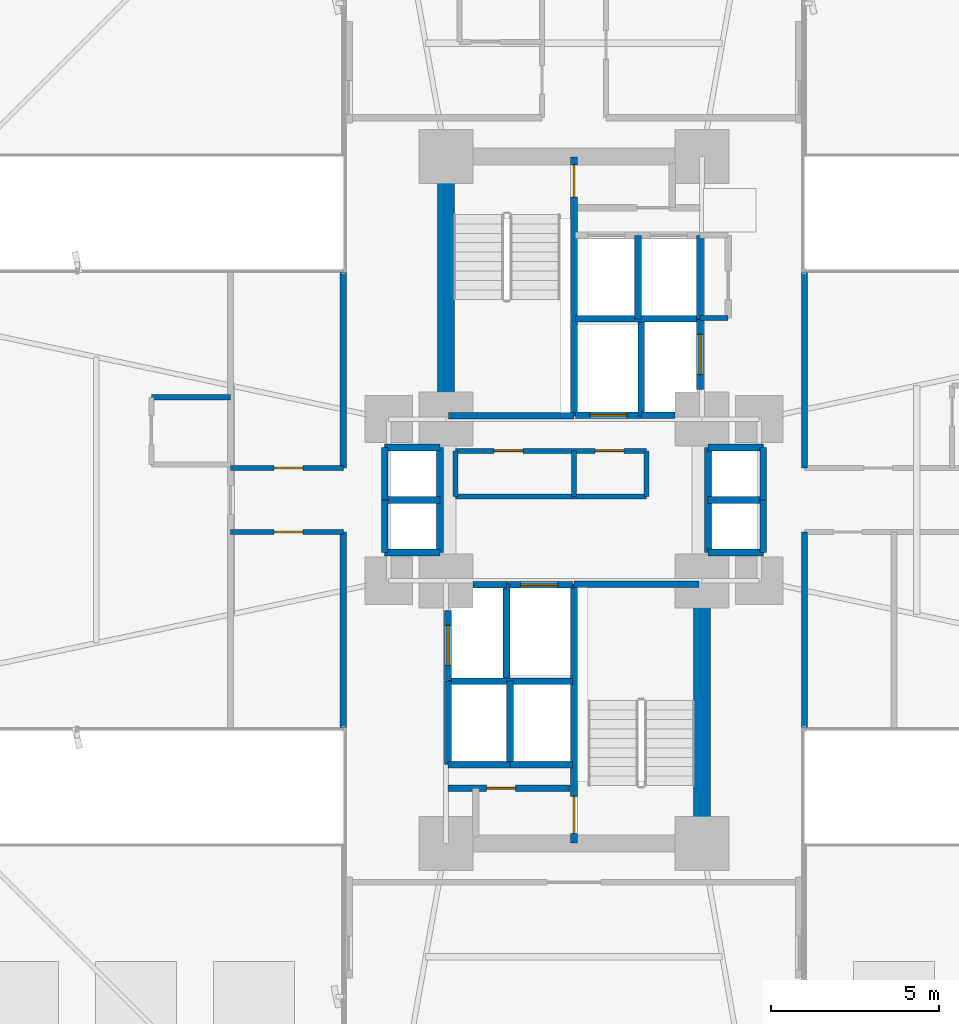
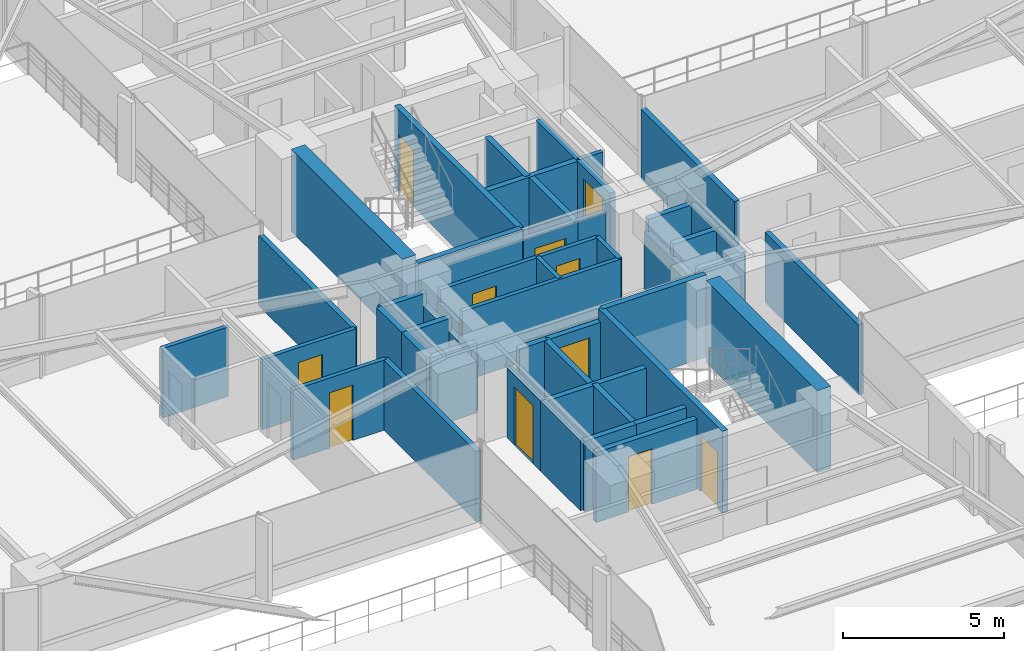
# One storey, part 22 of 27: 48 walls, 11 doors, 11 openings.
"""IFC4 building model written with IfcOpenShell, lengths in metres."""

from ifc_helpers import new_model, si_unit, direction, frame, frame_2d, origin, origin_2d, place, context, subcontext, project, spatial, rectangle, extrude, source, transform, mapped, material, layer, layer_set, type_object, element, fill, save


model = new_model("IFC4")

# Units and contexts
model_context = context("Model", 3, precision=1e-05, world=origin(), true_north=direction((0.0, 1.0)))
body_context = subcontext(model_context, "Body", "Model", "MODEL_VIEW")
ifc_project = project(units=[si_unit("LENGTHUNIT", "METRE"), si_unit("AREAUNIT", "SQUARE_METRE"), si_unit("VOLUMEUNIT", "CUBIC_METRE"), si_unit("PLANEANGLEUNIT", "RADIAN"), si_unit("MASSUNIT", "GRAM", prefix="KILO")], contexts=[model_context])

# Site, building, storey
site_placement = place(None, origin())
site = spatial("IfcSite", under=ifc_project, at=site_placement, CompositionType="ELEMENT")
building_placement = place(site_placement, origin())
building = spatial("IfcBuilding", under=site, at=building_placement, Name="Sahyath Konkavel Grand Hotel", CompositionType="ELEMENT")
storey_placement = place(building_placement, frame((0.0, 0.0, 23.10009765625)))
storey = spatial("IfcBuildingStorey", under=building, at=storey_placement, Name="L05", CompositionType="ELEMENT", Elevation=23.10009765625)

# Walls
ifc_material_1 = material(Name="Concrete C70/85", Category="concrete")
ifc_layer_1 = layer(ifc_material_1, 0.5)
ifc_layer_set_1 = layer_set([ifc_layer_1], Name="Concrete C70/85")
wall_type_1 = type_object("IfcWallType", Name="CWALL-500", PredefinedType="SHEAR", material=ifc_layer_set_1)
for number, where, z_axis, x_axis, name in (
    (1, (-3.800048828125, 2.85009765625, 0.0), (0.0, 0.0, 1.0), (0.0, 1.0, 0.0), "L05 North Core Shear Wall W"),
    (2, (3.800048828125, -9.75, 0.0), (0.0, 0.0, 1.0), (0.0, 1.0, 0.0), "L05 South Core Shear Wall E"),
):
    element("IfcWall", number, at=place(storey_placement, frame(where, z_axis=z_axis, x_axis=x_axis)), inside=storey, type_object=wall_type_1, Name=name, PredefinedType="SHEAR", context=body_context, shape_type="SweptSolid", body=[
        extrude(rectangle(XDim=6.89990234375, YDim=0.5, at=frame_2d((3.449951171875, 0.0))), origin(), (0.0, 0.0, 1.0), 3.10986328125),
    ])

# Wall, opening, door
ifc_material_2 = material(Name="Concrete C40/50", Category="concrete")
ifc_layer_2 = layer(ifc_material_2, 0.199951171875)
ifc_layer_set_2 = layer_set([ifc_layer_2], Name="Concrete C40/50")
wall_type_2 = type_object("IfcWallType", Name="WLL-CORE-200", PredefinedType="SOLIDWALL", material=ifc_layer_set_2)
wall_1_placement = place(storey_placement, frame((0.0, 2.5, 0.0), z_axis=(0.0, 0.0, 1.0), x_axis=(0.0, 1.0, 0.0)))
wall_1 = element("IfcWall", 3, at=wall_1_placement, inside=storey, type_object=wall_type_2, Name="L05 Stair ST-1 Shaft Wall E", PredefinedType="SOLIDWALL", context=body_context, shape_type="SweptSolid", body=[
    extrude(rectangle(XDim=7.679931640625, YDim=0.199951171875, at=frame_2d((3.83984375, 0.0))), origin(), (0.0, 0.0, 1.0), 3.10986328125),
])
opening_1_placement = place(wall_1_placement, frame((6.5, 0.0, 0.0)))
opening_1 = element("IfcOpeningElement", 4, at=opening_1_placement, cuts=wall_1, Name="Opening D-F12C", PredefinedType="OPENING", context=body_context, shape_type="SweptSolid", body=[
    extrude(rectangle(XDim=0.949951171875, YDim=2.14990234375, at=frame_2d((0.47509765625, 1.074951171875))), frame((0.0, 0.10986328125, 0.0), z_axis=(0.0, -1.0, 0.0), x_axis=(1.0, 0.0, 0.0)), (0.0, 0.0, 1.0), 0.219970703125),
])
ifc_material_3 = material(Name="Steel E350 Plant Fire Door", Category="steel")
door_type_1 = type_object("IfcDoorType", Name="DR-FD120-950", OperationType="NOTDEFINED", PredefinedType="DOOR", material=ifc_material_3)
shared_shape_1 = source(origin(), body_context, "Body", "SweptSolid", [
    extrude(rectangle(XDim=0.949951171875, YDim=0.050048828125, at=origin_2d()), origin(), (0.0, 0.0, 1.0), 2.14990234375),
])
door_1_placement = place(opening_1_placement, frame((0.47509765625, 0.0, 0.0)))
door_1 = element("IfcDoor", 5, at=door_1_placement, inside=storey, type_object=door_type_1, Name="L05 Stair ST-1 Fire Door", OperationType="SINGLE_SWING_LEFT", OverallHeight=2.14990234375, OverallWidth=0.949951171875, PredefinedType="DOOR", context=body_context, shape_type="MappedRepresentation", body=[
    mapped(shared_shape_1, transform((0.0, 0.0, 0.0), scale=1.0)),
])
fill(opening_1, door_1)

# Wall
wall_2_placement = place(storey_placement, frame((-3.719970703125, 2.5, 0.0), z_axis=(0.0, 0.0, 1.0), x_axis=(1.0, 0.0, 0.0)))
element("IfcWall", 6, at=wall_2_placement, inside=storey, type_object=wall_type_2, Name="L05 Stair ST-1 Shaft Wall S", PredefinedType="SOLIDWALL", context=body_context, shape_type="SweptSolid", body=[
    extrude(rectangle(XDim=3.719970703125, YDim=0.199951171875, at=frame_2d((1.85986328125, 0.0))), origin(), (0.0, 0.0, 1.0), 3.10986328125),
])

# Wall, opening, door
wall_3_placement = place(storey_placement, frame((0.0, -10.179931640625, 0.0), z_axis=(0.0, 0.0, 1.0), x_axis=(0.0, 1.0, 0.0)))
wall_3 = element("IfcWall", 7, at=wall_3_placement, inside=storey, type_object=wall_type_2, Name="L05 Stair ST-2 Shaft Wall W", PredefinedType="SOLIDWALL", context=body_context, shape_type="SweptSolid", body=[
    extrude(rectangle(XDim=7.679931640625, YDim=0.199951171875, at=frame_2d((3.83984375, 0.0))), origin(), (0.0, 0.0, 1.0), 3.10986328125),
])
opening_2_placement = place(wall_3_placement, frame((0.280029296875, 0.0, 0.0)))
opening_2 = element("IfcOpeningElement", 8, at=opening_2_placement, cuts=wall_3, Name="Opening D-F12B", PredefinedType="OPENING", context=body_context, shape_type="SweptSolid", body=[
    extrude(rectangle(XDim=1.10009765625, YDim=2.14990234375, at=frame_2d((0.550048828125, 1.074951171875))), frame((0.0, 0.10986328125, 0.0), z_axis=(0.0, -1.0, 0.0), x_axis=(1.0, 0.0, 0.0)), (0.0, 0.0, 1.0), 0.219970703125),
])
ifc_material_4 = material(Name="Steel E350 Smokeproof Fire Door", Category="steel")
door_type_2 = type_object("IfcDoorType", Name="DR-FD120-1100", OperationType="NOTDEFINED", PredefinedType="DOOR", material=ifc_material_4)
shared_shape_2 = source(origin(), body_context, "Body", "SweptSolid", [
    extrude(rectangle(XDim=1.10009765625, YDim=0.050048828125, at=origin_2d()), origin(), (0.0, 0.0, 1.0), 2.14990234375),
])
door_2_placement = place(opening_2_placement, frame((0.550048828125, 0.0, 0.0)))
door_2 = element("IfcDoor", 9, at=door_2_placement, inside=storey, type_object=door_type_2, Name="L05 Stair ST-2 Fire Door", OperationType="SINGLE_SWING_LEFT", OverallHeight=2.14990234375, OverallWidth=1.10009765625, PredefinedType="DOOR", context=body_context, shape_type="MappedRepresentation", body=[
    mapped(shared_shape_2, transform((0.0, 0.0, 0.0), scale=1.0)),
])
fill(opening_2, door_2)

# Walls
wall_4_placement = place(storey_placement, frame((0.0, -2.5, 0.0), z_axis=(0.0, 0.0, 1.0), x_axis=(1.0, 0.0, 0.0)))
element("IfcWall", 10, at=wall_4_placement, inside=storey, type_object=wall_type_2, Name="L05 Stair ST-2 Shaft Wall N", PredefinedType="SOLIDWALL", context=body_context, shape_type="SweptSolid", body=[
    extrude(rectangle(XDim=3.719970703125, YDim=0.199951171875, at=frame_2d((1.85986328125, 0.0))), origin(), (0.0, 0.0, 1.0), 3.10986328125),
])
wall_5_placement = place(storey_placement, frame((2.0, 2.5, 0.0), z_axis=(0.0, 0.0, 1.0), x_axis=(0.0, 1.0, 0.0)))
element("IfcWall", 11, at=wall_5_placement, inside=storey, type_object=wall_type_2, Name="L05 Partition SH-FFL1-E", PredefinedType="SOLIDWALL", context=body_context, shape_type="SweptSolid", body=[
    extrude(rectangle(XDim=2.780029296875, YDim=0.199951171875, at=frame_2d((1.39013671875, 0.0))), origin(), (0.0, 0.0, 1.0), 2.659912109375),
])

# Wall, opening, door
wall_6_placement = place(storey_placement, frame((0.050048828125, 2.52001953125, 0.0), z_axis=(0.0, 0.0, 1.0), x_axis=(1.0, 0.0, 0.0)))
wall_6 = element("IfcWall", 12, at=wall_6_placement, inside=storey, type_object=wall_type_2, Name="L05 Partition SH-FFL1-S", PredefinedType="SOLIDWALL", context=body_context, shape_type="SweptSolid", body=[
    extrude(rectangle(XDim=1.949951171875, YDim=0.199951171875, at=frame_2d((0.97509765625, 0.0))), origin(), (0.0, 0.0, 1.0), 2.659912109375),
])
opening_3_placement = place(wall_6_placement, frame((0.419921875, 0.0, 0.0)))
opening_3 = element("IfcOpeningElement", 13, at=opening_3_placement, cuts=wall_6, Name="Opening LD-11", PredefinedType="OPENING", context=body_context, shape_type="SweptSolid", body=[
    extrude(rectangle(XDim=1.10009765625, YDim=2.199951171875, at=frame_2d((0.550048828125, 1.10009765625))), frame((0.0, 0.10986328125, 0.0), z_axis=(0.0, -1.0, 0.0), x_axis=(1.0, 0.0, 0.0)), (0.0, 0.0, 1.0), 0.219970703125),
])
ifc_material_5 = material(Name="Bronze Lift Landing Door 1100")
door_type_3 = type_object("IfcDoorType", Name="DR-LIFT-1100", OperationType="DOUBLE_DOOR_SLIDING", PredefinedType="DOOR", material=ifc_material_5)
shared_shape_3 = source(origin(), body_context, "Body", "SweptSolid", [
    extrude(rectangle(XDim=1.10009765625, YDim=0.050048828125, at=origin_2d()), origin(), (0.0, 0.0, 1.0), 2.199951171875),
])
door_3_placement = place(opening_3_placement, frame((0.550048828125, 0.0, 0.0)))
door_3 = element("IfcDoor", 14, at=door_3_placement, inside=storey, type_object=door_type_3, Name="L05 Lift FFL-1 Landing Door", OperationType="DOUBLE_DOOR_SLIDING", OverallHeight=2.199951171875, OverallWidth=1.10009765625, PredefinedType="DOOR", context=body_context, shape_type="MappedRepresentation", body=[
    mapped(shared_shape_3, transform((0.0, 0.0, 0.0), scale=1.0)),
])
fill(opening_3, door_3)

# Wall
wall_7_placement = place(storey_placement, frame((-2.0, -5.280029296875, 0.0), z_axis=(0.0, 0.0, 1.0), x_axis=(0.0, 1.0, 0.0)))
element("IfcWall", 15, at=wall_7_placement, inside=storey, type_object=wall_type_2, Name="L05 Partition SH-FFL2-W", PredefinedType="SOLIDWALL", context=body_context, shape_type="SweptSolid", body=[
    extrude(rectangle(XDim=2.780029296875, YDim=0.199951171875, at=frame_2d((1.39013671875, 0.0))), origin(), (0.0, 0.0, 1.0), 2.659912109375),
])

# Wall, opening, door
wall_8_placement = place(storey_placement, frame((-2.0, -2.52001953125, 0.0), z_axis=(0.0, 0.0, 1.0), x_axis=(1.0, 0.0, 0.0)))
wall_8 = element("IfcWall", 16, at=wall_8_placement, inside=storey, type_object=wall_type_2, Name="L05 Partition SH-FFL2-N", PredefinedType="SOLIDWALL", context=body_context, shape_type="SweptSolid", body=[
    extrude(rectangle(XDim=1.949951171875, YDim=0.199951171875, at=frame_2d((0.97509765625, 0.0))), origin(), (0.0, 0.0, 1.0), 2.659912109375),
])
opening_4_placement = place(wall_8_placement, frame((0.419921875, 0.0, 0.0)))
opening_4 = element("IfcOpeningElement", 17, at=opening_4_placement, cuts=wall_8, Name="Opening LD-11", PredefinedType="OPENING", context=body_context, shape_type="SweptSolid", body=[
    extrude(rectangle(XDim=1.10009765625, YDim=2.199951171875, at=frame_2d((0.550048828125, 1.10009765625))), frame((0.0, 0.10986328125, 0.0), z_axis=(0.0, -1.0, 0.0), x_axis=(1.0, 0.0, 0.0)), (0.0, 0.0, 1.0), 0.219970703125),
])
door_4_placement = place(opening_4_placement, frame((0.550048828125, 0.0, 0.0)))
door_4 = element("IfcDoor", 18, at=door_4_placement, inside=storey, type_object=door_type_3, Name="L05 Lift FFL-2 Landing Door", OperationType="DOUBLE_DOOR_SLIDING", OverallHeight=2.199951171875, OverallWidth=1.10009765625, PredefinedType="DOOR", context=body_context, shape_type="MappedRepresentation", body=[
    mapped(shared_shape_3, transform((0.0, 0.0, 0.0), scale=1.0)),
])
fill(opening_4, door_4)

# Wall
wall_9_placement = place(storey_placement, frame((2.0, 2.52001953125, 0.0), z_axis=(0.0, 0.0, 1.0), x_axis=(1.0, 0.0, 0.0)))
element("IfcWall", 19, at=wall_9_placement, inside=storey, type_object=wall_type_2, Name="L05 Partition SH-SVL1-S", PredefinedType="SOLIDWALL", context=body_context, shape_type="SweptSolid", body=[
    extrude(rectangle(XDim=1.0, YDim=0.199951171875, at=frame_2d((0.5, 0.0))), origin(), (0.0, 0.0, 1.0), 2.659912109375),
])

# Wall, opening, door
wall_10_placement = place(storey_placement, frame((3.739990234375, 3.280029296875, 0.0), z_axis=(0.0, 0.0, 1.0), x_axis=(0.0, 1.0, 0.0)))
wall_10 = element("IfcWall", 20, at=wall_10_placement, inside=storey, type_object=wall_type_2, Name="L05 Partition SH-SVL1-E", PredefinedType="SOLIDWALL", context=body_context, shape_type="SweptSolid", body=[
    extrude(rectangle(XDim=2.080078125, YDim=0.199951171875, at=frame_2d((1.0400390625, 0.0))), origin(), (0.0, 0.0, 1.0), 2.659912109375),
])
opening_5_placement = place(wall_10_placement, frame((0.43994140625, 0.0, 0.0)))
opening_5 = element("IfcOpeningElement", 21, at=opening_5_placement, cuts=wall_10, Name="Opening LD-12", PredefinedType="OPENING", context=body_context, shape_type="SweptSolid", body=[
    extrude(rectangle(XDim=1.199951171875, YDim=2.199951171875, at=frame_2d((0.60009765625, 1.10009765625))), frame((0.0, 0.10986328125, 0.0), z_axis=(0.0, -1.0, 0.0), x_axis=(1.0, 0.0, 0.0)), (0.0, 0.0, 1.0), 0.219970703125),
])
ifc_material_6 = material(Name="Stainless Steel Lift Landing Door 1200", Category="steel")
door_type_4 = type_object("IfcDoorType", Name="DR-LIFT-1200", OperationType="DOUBLE_DOOR_SLIDING", PredefinedType="DOOR", material=ifc_material_6)
shared_shape_4 = source(origin(), body_context, "Body", "SweptSolid", [
    extrude(rectangle(XDim=1.199951171875, YDim=0.050048828125, at=origin_2d()), origin(), (0.0, 0.0, 1.0), 2.199951171875),
])
door_5_placement = place(opening_5_placement, frame((0.60009765625, 0.0, 0.0)))
door_5 = element("IfcDoor", 22, at=door_5_placement, inside=storey, type_object=door_type_4, Name="L05 Service Lift SVL-1 Landing Door", OperationType="DOUBLE_DOOR_SLIDING", OverallHeight=2.199951171875, OverallWidth=1.199951171875, PredefinedType="DOOR", context=body_context, shape_type="MappedRepresentation", body=[
    mapped(shared_shape_4, transform((0.0, 0.0, 0.0), scale=1.0)),
])
fill(opening_5, door_5)

# Wall
wall_11_placement = place(storey_placement, frame((-3.0, -2.52001953125, 0.0), z_axis=(0.0, 0.0, 1.0), x_axis=(1.0, 0.0, 0.0)))
element("IfcWall", 23, at=wall_11_placement, inside=storey, type_object=wall_type_2, Name="L05 Partition SH-SVL2-N", PredefinedType="SOLIDWALL", context=body_context, shape_type="SweptSolid", body=[
    extrude(rectangle(XDim=1.0, YDim=0.199951171875, at=frame_2d((0.5, 0.0))), origin(), (0.0, 0.0, 1.0), 2.659912109375),
])

# Wall, opening, door
wall_12_placement = place(storey_placement, frame((-3.739990234375, -5.360107421875, 0.0), z_axis=(0.0, 0.0, 1.0), x_axis=(0.0, 1.0, 0.0)))
wall_12 = element("IfcWall", 24, at=wall_12_placement, inside=storey, type_object=wall_type_2, Name="L05 Partition SH-SVL2-W", PredefinedType="SOLIDWALL", context=body_context, shape_type="SweptSolid", body=[
    extrude(rectangle(XDim=2.080078125, YDim=0.199951171875, at=frame_2d((1.0400390625, 0.0))), origin(), (0.0, 0.0, 1.0), 2.659912109375),
])
opening_6_placement = place(wall_12_placement, frame((0.43994140625, 0.0, 0.0)))
opening_6 = element("IfcOpeningElement", 25, at=opening_6_placement, cuts=wall_12, Name="Opening LD-12", PredefinedType="OPENING", context=body_context, shape_type="SweptSolid", body=[
    extrude(rectangle(XDim=1.199951171875, YDim=2.199951171875, at=frame_2d((0.60009765625, 1.10009765625))), frame((0.0, 0.10986328125, 0.0), z_axis=(0.0, -1.0, 0.0), x_axis=(1.0, 0.0, 0.0)), (0.0, 0.0, 1.0), 0.219970703125),
])
door_6_placement = place(opening_6_placement, frame((0.60009765625, 0.0, 0.0)))
door_6 = element("IfcDoor", 26, at=door_6_placement, inside=storey, type_object=door_type_4, Name="L05 Service Lift SVL-2 Landing Door", OperationType="DOUBLE_DOOR_SLIDING", OverallHeight=2.199951171875, OverallWidth=1.199951171875, PredefinedType="DOOR", context=body_context, shape_type="MappedRepresentation", body=[
    mapped(shared_shape_4, transform((0.0, 0.0, 0.0), scale=1.0)),
])
fill(opening_6, door_6)

# Walls
wall_13_placement = place(storey_placement, frame((0.050048828125, 5.3798828125, 0.0), z_axis=(0.0, 0.0, 1.0), x_axis=(1.0, 0.0, 0.0)))
element("IfcWall", 27, at=wall_13_placement, inside=storey, type_object=wall_type_2, Name="L05 Partition SH-PL12-S", PredefinedType="SOLIDWALL", context=body_context, shape_type="SweptSolid", body=[
    extrude(rectangle(XDim=3.68994140625, YDim=0.199951171875, at=frame_2d((1.844970703125, 0.0))), origin(), (0.0, 0.0, 1.0), 2.659912109375),
])
for number, where, z_axis, x_axis, name in (
    (28, (1.89990234375, 5.3798828125, 0.0), (0.0, 0.0, 1.0), (0.0, 1.0, 0.0), "L05 Partition SH-PL12-M"),
    (29, (3.739990234375, 5.3798828125, 0.0), (0.0, 0.0, 1.0), (0.0, 1.0, 0.0), "L05 Partition SH-PL2-E"),
    (30, (-3.739990234375, -7.860107421875, 0.0), (0.0, 0.0, 1.0), (0.0, 1.0, 0.0), "L05 Partition SH-PL3-W"),
):
    element("IfcWall", number, at=place(storey_placement, frame(where, z_axis=z_axis, x_axis=x_axis)), inside=storey, type_object=wall_type_2, Name=name, PredefinedType="SOLIDWALL", context=body_context, shape_type="SweptSolid", body=[
        extrude(rectangle(XDim=2.480224609375, YDim=0.199951171875, at=frame_2d((1.240234375, 0.0))), origin(), (0.0, 0.0, 1.0), 2.659912109375),
    ])
wall_14_placement = place(storey_placement, frame((-3.739990234375, -7.860107421875, 0.0), z_axis=(0.0, 0.0, 1.0), x_axis=(1.0, 0.0, 0.0)))
element("IfcWall", 31, at=wall_14_placement, inside=storey, type_object=wall_type_2, Name="L05 Partition SH-PL3-S", PredefinedType="SOLIDWALL", context=body_context, shape_type="SweptSolid", body=[
    extrude(rectangle(XDim=1.840087890625, YDim=0.199951171875, at=frame_2d((0.919921875, 0.0))), origin(), (0.0, 0.0, 1.0), 2.659912109375),
])
wall_15_placement = place(storey_placement, frame((-3.739990234375, -5.3798828125, 0.0), z_axis=(0.0, 0.0, 1.0), x_axis=(1.0, 0.0, 0.0)))
element("IfcWall", 32, at=wall_15_placement, inside=storey, type_object=wall_type_2, Name="L05 Partition SH-PL34-N", PredefinedType="SOLIDWALL", context=body_context, shape_type="SweptSolid", body=[
    extrude(rectangle(XDim=3.68994140625, YDim=0.199951171875, at=frame_2d((1.844970703125, 0.0))), origin(), (0.0, 0.0, 1.0), 2.659912109375),
])
wall_16_placement = place(storey_placement, frame((-1.89990234375, -7.860107421875, 0.0), z_axis=(0.0, 0.0, 1.0), x_axis=(0.0, 1.0, 0.0)))
element("IfcWall", 33, at=wall_16_placement, inside=storey, type_object=wall_type_2, Name="L05 Partition SH-PL34-M", PredefinedType="SOLIDWALL", context=body_context, shape_type="SweptSolid", body=[
    extrude(rectangle(XDim=2.480224609375, YDim=0.199951171875, at=frame_2d((1.240234375, 0.0))), origin(), (0.0, 0.0, 1.0), 2.659912109375),
])
wall_17_placement = place(storey_placement, frame((-1.89990234375, -7.860107421875, 0.0), z_axis=(0.0, 0.0, 1.0), x_axis=(1.0, 0.0, 0.0)))
element("IfcWall", 34, at=wall_17_placement, inside=storey, type_object=wall_type_2, Name="L05 Partition SH-PL4-S", PredefinedType="SOLIDWALL", context=body_context, shape_type="SweptSolid", body=[
    extrude(rectangle(XDim=1.849853515625, YDim=0.199951171875, at=frame_2d((0.9248046875, 0.0))), origin(), (0.0, 0.0, 1.0), 2.659912109375),
])
wall_18_placement = place(storey_placement, frame((3.97998046875, -1.56005859375, 0.0), z_axis=(0.0, 0.0, 1.0), x_axis=(0.0, 1.0, 0.0)))
element("IfcWall", 35, at=wall_18_placement, inside=storey, type_object=wall_type_2, Name="L05 Partition SH-PL56-W", PredefinedType="SOLIDWALL", context=body_context, shape_type="SweptSolid", body=[
    extrude(rectangle(XDim=3.1201171875, YDim=0.199951171875, at=frame_2d((1.56005859375, 0.0))), origin(), (0.0, 0.0, 1.0), 2.179931640625),
])
for number, where, z_axis, x_axis, name in (
    (36, (3.97998046875, 1.56005859375, 0.0), (0.0, 0.0, 1.0), (1.0, 0.0, 0.0), "L05 Partition SH-PL56-N"),
    (37, (3.97998046875, -1.56005859375, 0.0), (0.0, 0.0, 1.0), (1.0, 0.0, 0.0), "L05 Partition SH-PL56-S"),
    (38, (3.97998046875, 0.0, 0.0), (0.0, 0.0, 1.0), (1.0, 0.0, 0.0), "L05 Partition SH-PL56-M"),
):
    element("IfcWall", number, at=place(storey_placement, frame(where, z_axis=z_axis, x_axis=x_axis)), inside=storey, type_object=wall_type_2, Name=name, PredefinedType="SOLIDWALL", context=body_context, shape_type="SweptSolid", body=[
        extrude(rectangle(XDim=1.64013671875, YDim=0.199951171875, at=frame_2d((0.820068359375, 0.0))), origin(), (0.0, 0.0, 1.0), 2.659912109375),
    ])
for number, where, z_axis, x_axis, name in (
    (39, (5.6201171875, 0.0, 0.0), (0.0, 0.0, 1.0), (0.0, 1.0, 0.0), "L05 Partition SH-PL5-E"),
    (40, (5.6201171875, -1.56005859375, 0.0), (0.0, 0.0, 1.0), (0.0, 1.0, 0.0), "L05 Partition SH-PL6-E"),
):
    element("IfcWall", number, at=place(storey_placement, frame(where, z_axis=z_axis, x_axis=x_axis)), inside=storey, type_object=wall_type_2, Name=name, PredefinedType="SOLIDWALL", context=body_context, shape_type="SweptSolid", body=[
        extrude(rectangle(XDim=1.56005859375, YDim=0.199951171875, at=frame_2d((0.780029296875, 0.0))), origin(), (0.0, 0.0, 1.0), 2.659912109375),
    ])
wall_19_placement = place(storey_placement, frame((-3.97998046875, -1.56005859375, 0.0), z_axis=(0.0, 0.0, 1.0), x_axis=(0.0, 1.0, 0.0)))
element("IfcWall", 41, at=wall_19_placement, inside=storey, type_object=wall_type_2, Name="L05 Partition SH-SL12-E", PredefinedType="SOLIDWALL", context=body_context, shape_type="SweptSolid", body=[
    extrude(rectangle(XDim=3.1201171875, YDim=0.199951171875, at=frame_2d((1.56005859375, 0.0))), origin(), (0.0, 0.0, 1.0), 2.179931640625),
])
for number, where, z_axis, x_axis, name in (
    (42, (-5.6201171875, 1.56005859375, 0.0), (0.0, 0.0, 1.0), (1.0, 0.0, 0.0), "L05 Partition SH-SL12-N"),
    (43, (-5.6201171875, -1.56005859375, 0.0), (0.0, 0.0, 1.0), (1.0, 0.0, 0.0), "L05 Partition SH-SL12-S"),
    (44, (-5.6201171875, 0.0, 0.0), (0.0, 0.0, 1.0), (1.0, 0.0, 0.0), "L05 Partition SH-SL12-M"),
):
    element("IfcWall", number, at=place(storey_placement, frame(where, z_axis=z_axis, x_axis=x_axis)), inside=storey, type_object=wall_type_2, Name=name, PredefinedType="SOLIDWALL", context=body_context, shape_type="SweptSolid", body=[
        extrude(rectangle(XDim=1.64013671875, YDim=0.199951171875, at=frame_2d((0.820068359375, 0.0))), origin(), (0.0, 0.0, 1.0), 2.659912109375),
    ])
for number, where, z_axis, x_axis, name in (
    (45, (-5.6201171875, 0.0, 0.0), (0.0, 0.0, 1.0), (0.0, 1.0, 0.0), "L05 Partition SH-SL1-W"),
    (46, (-5.6201171875, -1.56005859375, 0.0), (0.0, 0.0, 1.0), (0.0, 1.0, 0.0), "L05 Partition SH-SL2-W"),
):
    element("IfcWall", number, at=place(storey_placement, frame(where, z_axis=z_axis, x_axis=x_axis)), inside=storey, type_object=wall_type_2, Name=name, PredefinedType="SOLIDWALL", context=body_context, shape_type="SweptSolid", body=[
        extrude(rectangle(XDim=1.56005859375, YDim=0.199951171875, at=frame_2d((0.780029296875, 0.0))), origin(), (0.0, 0.0, 1.0), 2.659912109375),
    ])

# Wall, opening, door
wall_20_placement = place(storey_placement, frame((-3.739990234375, -8.56005859375, 0.0), z_axis=(0.0, 0.0, 1.0), x_axis=(1.0, 0.0, 0.0)))
wall_20 = element("IfcWall", 47, at=wall_20_placement, inside=storey, type_object=wall_type_2, Name="L05 South FF Lobby Separation Wall", PredefinedType="SOLIDWALL", context=body_context, shape_type="SweptSolid", body=[
    extrude(rectangle(XDim=3.619873046875, YDim=0.199951171875, at=frame_2d((1.81005859375, 0.0))), origin(), (0.0, 0.0, 1.0), 2.659912109375),
])
opening_7_placement = place(wall_20_placement, frame((1.14990234375, 0.0, 0.0)))
opening_7 = element("IfcOpeningElement", 48, at=opening_7_placement, cuts=wall_20, Name="Opening D-F12D", PredefinedType="OPENING", context=body_context, shape_type="SweptSolid", body=[
    extrude(rectangle(XDim=0.85009765625, YDim=2.10009765625, at=frame_2d((0.425048828125, 1.050048828125))), frame((0.0, 0.10986328125, 0.0), z_axis=(0.0, -1.0, 0.0), x_axis=(1.0, 0.0, 0.0)), (0.0, 0.0, 1.0), 0.219970703125),
])
ifc_material_7 = material(Name="Steel E350 Core Fire Door", Category="steel")
door_type_5 = type_object("IfcDoorType", Name="DR-FD120-850", OperationType="NOTDEFINED", PredefinedType="DOOR", material=ifc_material_7)
shared_shape_5 = source(origin(), body_context, "Body", "SweptSolid", [
    extrude(rectangle(XDim=0.85009765625, YDim=0.050048828125, at=origin_2d()), origin(), (0.0, 0.0, 1.0), 2.10009765625),
])
door_7_placement = place(opening_7_placement, frame((0.425048828125, 0.0, 0.0)))
door_7 = element("IfcDoor", 49, at=door_7_placement, inside=storey, type_object=door_type_5, Name="L05 South Firefighting Lobby Door", OperationType="SINGLE_SWING_RIGHT", OverallHeight=2.10009765625, OverallWidth=0.85009765625, PredefinedType="DOOR", context=body_context, shape_type="MappedRepresentation", body=[
    mapped(shared_shape_5, transform((0.0, 0.0, 0.0), scale=1.0)),
])
fill(opening_7, door_7)

# Walls
ifc_material_8 = material(Name="Twin-Stud Acoustic Gypsum Plasterboard Partition")
ifc_layer_3 = layer(ifc_material_8, 0.179931640625)
ifc_layer_set_3 = layer_set([ifc_layer_3], Name="Twin-Stud Acoustic Gypsum Plasterboard Partition")
wall_type_3 = type_object("IfcWallType", Name="WLL-DEMISE-180", PredefinedType="PARTITIONING", material=ifc_layer_set_3)
for number, where, z_axis, x_axis, name in (
    (50, (6.85009765625, 0.949951171875, 0.0), (0.0, 0.0, 1.0), (0.0, 1.0, 0.0), "L05 Partition E-INL"),
    (51, (6.85009765625, -6.75, 0.0), (0.0, 0.0, 1.0), (0.0, 1.0, 0.0), "L05 Partition E-INR"),
    (52, (-6.85009765625, -0.949951171875, 0.0), (0.0, 0.0, 1.0), (0.0, -1.0, 0.0), "L05 Partition W-INL"),
    (53, (-6.85009765625, 6.75, 0.0), (0.0, 0.0, 1.0), (0.0, -1.0, 0.0), "L05 Partition W-INR"),
):
    element("IfcWall", number, at=place(storey_placement, frame(where, z_axis=z_axis, x_axis=x_axis)), inside=storey, type_object=wall_type_3, Name=name, PredefinedType="PARTITIONING", context=body_context, shape_type="SweptSolid", body=[
        extrude(rectangle(XDim=5.800048828125, YDim=0.179931640625, at=frame_2d((2.89990234375, 0.0))), origin(), (0.0, 0.0, 1.0), 2.659912109375),
    ])
ifc_material_9 = material(Name="Fire-Rated Gypsum Plasterboard Partition")
ifc_layer_4 = layer(ifc_material_9, 0.14990234375)
ifc_layer_set_4 = layer_set([ifc_layer_4], Name="Fire-Rated Gypsum Plasterboard Partition")
wall_type_4 = type_object("IfcWallType", Name="WLL-PART-150", PredefinedType="PARTITIONING", material=ifc_layer_set_4)
wall_21_placement = place(storey_placement, frame((3.739990234375, 5.39990234375, 0.0), z_axis=(0.0, 0.0, 1.0), x_axis=(1.0, 0.0, 0.0)))
element("IfcWall", 54, at=wall_21_placement, inside=storey, type_object=wall_type_4, Name="L05 Partition NC-FLK-S", PredefinedType="PARTITIONING", context=body_context, shape_type="SweptSolid", body=[
    extrude(rectangle(XDim=0.840087890625, YDim=0.14990234375, at=frame_2d((0.419921875, 0.0))), origin(), (0.0, 0.0, 1.0), 2.659912109375),
])
wall_22_placement = place(storey_placement, frame((-3.52001953125, 0.10009765625, 0.0), z_axis=(0.0, 0.0, 1.0), x_axis=(1.0, 0.0, 0.0)))
element("IfcWall", 55, at=wall_22_placement, inside=storey, type_object=wall_type_4, Name="L05 Partition CC-S0-FIX", PredefinedType="PARTITIONING", context=body_context, shape_type="SweptSolid", body=[
    extrude(rectangle(XDim=5.679931640625, YDim=0.14990234375, at=frame_2d((2.83984375, 0.0))), origin(), (0.0, 0.0, 1.0), 2.659912109375),
])

# Wall, openings, doors
wall_23_placement = place(storey_placement, frame((-3.52001953125, 1.4599609375, 0.0), z_axis=(0.0, 0.0, 1.0), x_axis=(1.0, 0.0, 0.0)))
wall_23 = element("IfcWall", 56, at=wall_23_placement, inside=storey, type_object=wall_type_4, Name="L05 Partition CC-N0", PredefinedType="PARTITIONING", context=body_context, shape_type="SweptSolid", body=[
    extrude(rectangle(XDim=5.679931640625, YDim=0.14990234375, at=frame_2d((2.83984375, 0.0))), origin(), (0.0, 0.0, 1.0), 2.659912109375),
])
opening_8_placement = place(wall_23_placement, frame((1.14990234375, 0.0, 0.0)))
opening_8 = element("IfcOpeningElement", 57, at=opening_8_placement, cuts=wall_23, Name="Opening D-F06D", PredefinedType="OPENING", context=body_context, shape_type="SweptSolid", body=[
    extrude(rectangle(XDim=0.85009765625, YDim=2.10009765625, at=frame_2d((0.425048828125, 1.050048828125))), frame((0.0, 0.0849609375, 0.0), z_axis=(0.0, -1.0, 0.0), x_axis=(1.0, 0.0, 0.0)), (0.0, 0.0, 1.0), 0.169921875),
])
opening_9_placement = place(wall_23_placement, frame((4.14990234375, 0.0, 0.0)))
opening_9 = element("IfcOpeningElement", 58, at=opening_9_placement, cuts=wall_23, Name="Opening D-F06D", PredefinedType="OPENING", context=body_context, shape_type="SweptSolid", body=[
    extrude(rectangle(XDim=0.85009765625, YDim=2.10009765625, at=frame_2d((0.425048828125, 1.050048828125))), frame((0.0, 0.0849609375, 0.0), z_axis=(0.0, -1.0, 0.0), x_axis=(1.0, 0.0, 0.0)), (0.0, 0.0, 1.0), 0.169921875),
])
ifc_material_10 = material(Name="Fire-Rated Shaft Access Door")
door_type_6 = type_object("IfcDoorType", Name="DR-FD60-850", OperationType="NOTDEFINED", PredefinedType="DOOR", material=ifc_material_10)
door_8_placement = place(opening_8_placement, frame((0.425048828125, 0.0, 0.0)))
door_8 = element("IfcDoor", 59, at=door_8_placement, inside=storey, type_object=door_type_6, Name="L05 Door CC-D0A", OperationType="SINGLE_SWING_RIGHT", OverallHeight=2.10009765625, OverallWidth=0.85009765625, PredefinedType="DOOR", context=body_context, shape_type="MappedRepresentation", body=[
    mapped(shared_shape_5, transform((0.0, 0.0, 0.0), scale=1.0)),
])
fill(opening_8, door_8)
door_9_placement = place(opening_9_placement, frame((0.425048828125, 0.0, 0.0)))
door_9 = element("IfcDoor", 60, at=door_9_placement, inside=storey, type_object=door_type_6, Name="L05 Door CC-D0B", OperationType="SINGLE_SWING_LEFT", OverallHeight=2.10009765625, OverallWidth=0.85009765625, PredefinedType="DOOR", context=body_context, shape_type="MappedRepresentation", body=[
    mapped(shared_shape_5, transform((0.0, 0.0, 0.0), scale=1.0)),
])
fill(opening_9, door_9)

# Walls
wall_24_placement = place(storey_placement, frame((-3.52001953125, 0.10009765625, 0.0), z_axis=(0.0, 0.0, 1.0), x_axis=(0.0, 1.0, 0.0)))
element("IfcWall", 61, at=wall_24_placement, inside=storey, type_object=wall_type_4, Name="L05 Partition CC-W0", PredefinedType="PARTITIONING", context=body_context, shape_type="SweptSolid", body=[
    extrude(rectangle(XDim=1.35986328125, YDim=0.14990234375, at=frame_2d((0.679931640625, 0.0))), origin(), (0.0, 0.0, 1.0), 2.179931640625),
])
for number, where, z_axis, x_axis, name in (
    (62, (2.159912109375, 0.10009765625, 0.0), (0.0, 0.0, 1.0), (0.0, 1.0, 0.0), "L05 Partition CC-E0"),
    (63, (0.0, 0.10009765625, 0.0), (0.0, 0.0, 1.0), (0.0, 1.0, 0.0), "L05 Partition CC-M0"),
):
    element("IfcWall", number, at=place(storey_placement, frame(where, z_axis=z_axis, x_axis=x_axis)), inside=storey, type_object=wall_type_4, Name=name, PredefinedType="PARTITIONING", context=body_context, shape_type="SweptSolid", body=[
        extrude(rectangle(XDim=1.35986328125, YDim=0.14990234375, at=frame_2d((0.679931640625, 0.0))), origin(), (0.0, 0.0, 1.0), 2.659912109375),
    ])

# Wall, opening, door
wall_25_placement = place(storey_placement, frame((-6.85009765625, -0.949951171875, 0.0), z_axis=(0.0, 0.0, 1.0), x_axis=(-1.0, 0.0, 0.0)))
wall_25 = element("IfcWall", 64, at=wall_25_placement, inside=storey, type_object=wall_type_4, Name="L05 Partition W-CL", PredefinedType="PARTITIONING", context=body_context, shape_type="SweptSolid", body=[
    extrude(rectangle(XDim=3.349853515625, YDim=0.14990234375, at=frame_2d((1.6748046875, 0.0))), origin(), (0.0, 0.0, 1.0), 2.659912109375),
])
opening_10_placement = place(wall_25_placement, frame((1.199951171875, 0.0, 0.0)))
opening_10 = element("IfcOpeningElement", 65, at=opening_10_placement, cuts=wall_25, Name="Opening D-F06D", PredefinedType="OPENING", context=body_context, shape_type="SweptSolid", body=[
    extrude(rectangle(XDim=0.85009765625, YDim=2.10009765625, at=frame_2d((0.425048828125, 1.050048828125))), frame((0.0, 0.0849609375, 0.0), z_axis=(0.0, -1.0, 0.0), x_axis=(1.0, 0.0, 0.0)), (0.0, 0.0, 1.0), 0.169921875),
])
door_10_placement = place(opening_10_placement, frame((0.425048828125, 0.0, 0.0)))
door_10 = element("IfcDoor", 66, at=door_10_placement, inside=storey, type_object=door_type_6, Name="L05 Door W-WS3L-D", OperationType="SINGLE_SWING_LEFT", OverallHeight=2.10009765625, OverallWidth=0.85009765625, PredefinedType="DOOR", context=body_context, shape_type="MappedRepresentation", body=[
    mapped(shared_shape_5, transform((0.0, 0.0, 0.0), scale=1.0)),
])
fill(opening_10, door_10)

wall_26_placement = place(storey_placement, frame((-6.85009765625, 0.949951171875, 0.0), z_axis=(0.0, 0.0, 1.0), x_axis=(-1.0, 0.0, 0.0)))
wall_26 = element("IfcWall", 67, at=wall_26_placement, inside=storey, type_object=wall_type_4, Name="L05 Partition W-CR", PredefinedType="PARTITIONING", context=body_context, shape_type="SweptSolid", body=[
    extrude(rectangle(XDim=3.349853515625, YDim=0.14990234375, at=frame_2d((1.6748046875, 0.0))), origin(), (0.0, 0.0, 1.0), 2.659912109375),
])
opening_11_placement = place(wall_26_placement, frame((1.199951171875, 0.0, 0.0)))
opening_11 = element("IfcOpeningElement", 68, at=opening_11_placement, cuts=wall_26, Name="Opening D-F06D", PredefinedType="OPENING", context=body_context, shape_type="SweptSolid", body=[
    extrude(rectangle(XDim=0.85009765625, YDim=2.10009765625, at=frame_2d((0.425048828125, 1.050048828125))), frame((0.0, 0.0849609375, 0.0), z_axis=(0.0, -1.0, 0.0), x_axis=(1.0, 0.0, 0.0)), (0.0, 0.0, 1.0), 0.169921875),
])
door_11_placement = place(opening_11_placement, frame((0.425048828125, 0.0, 0.0)))
door_11 = element("IfcDoor", 69, at=door_11_placement, inside=storey, type_object=door_type_6, Name="L05 Door W-WHK-D", OperationType="SINGLE_SWING_RIGHT", OverallHeight=2.10009765625, OverallWidth=0.85009765625, PredefinedType="DOOR", context=body_context, shape_type="MappedRepresentation", body=[
    mapped(shared_shape_5, transform((0.0, 0.0, 0.0), scale=1.0)),
])
fill(opening_11, door_11)

# Wall
wall_27_placement = place(storey_placement, frame((-10.199951171875, 3.050048828125, 0.0), z_axis=(0.0, 0.0, 1.0), x_axis=(-1.0, 0.0, 0.0)))
element("IfcWall", 70, at=wall_27_placement, inside=storey, type_object=wall_type_4, Name="L05 Partition W-WTIP-BS", PredefinedType="PARTITIONING", context=body_context, shape_type="SweptSolid", body=[
    extrude(rectangle(XDim=2.35009765625, YDim=0.14990234375, at=frame_2d((1.175048828125, 0.0))), origin(), (0.0, 0.0, 1.0), 2.6298828125),
])

save(model, "model.ifc")
